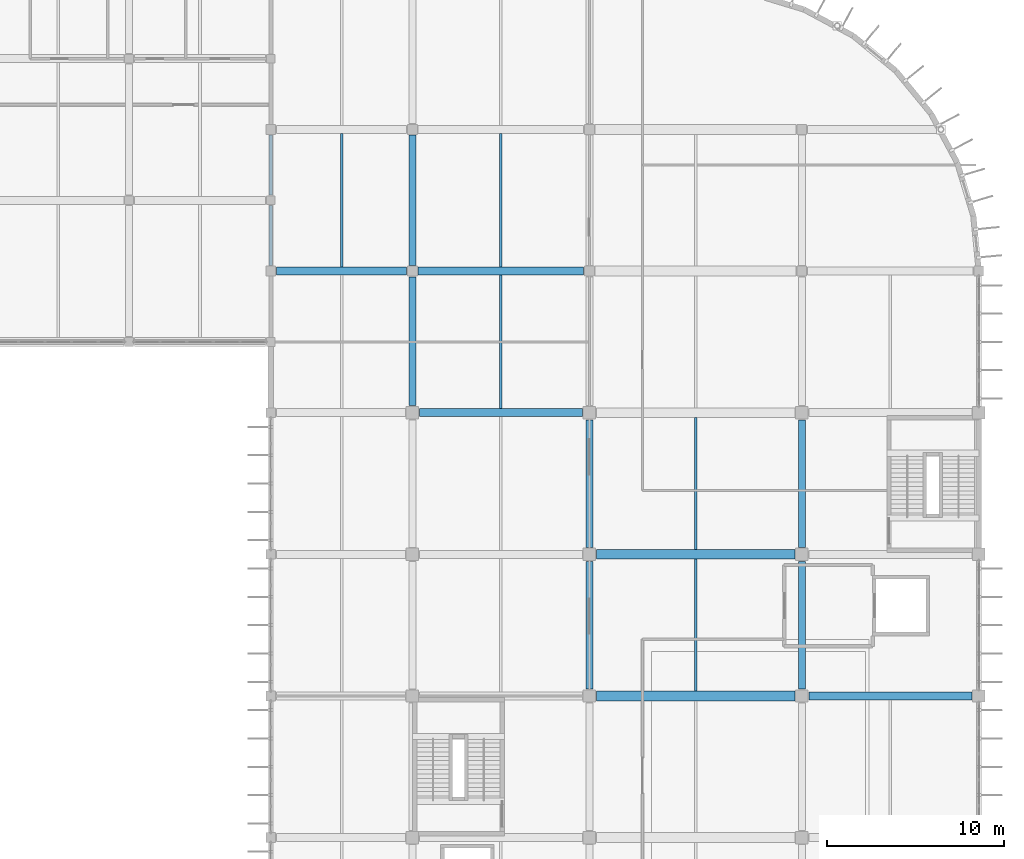
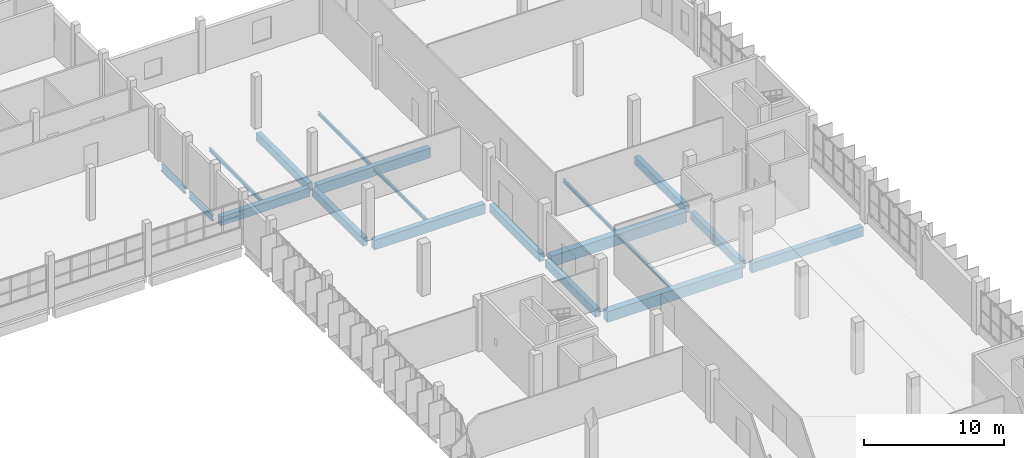
# One storey, part 48 of 93: 19 beams.
"""IFC4 building model written with IfcOpenShell, lengths in metres."""

from ifc_helpers import new_model, si_unit, direction, frame, origin, origin_2d, place, context, subcontext, project, spatial, rectangle, i_section, extrude, material, material_profile, profile_set, type_object, element, save


model = new_model("IFC4")

# Units and contexts
model_context = context("Model", 3, precision=1e-05, world=origin(), true_north=direction((0.0, 1.0)))
body_context = subcontext(model_context, "Body", "Model", "MODEL_VIEW")
ifc_project = project(units=[si_unit("LENGTHUNIT", "METRE"), si_unit("AREAUNIT", "SQUARE_METRE"), si_unit("VOLUMEUNIT", "CUBIC_METRE"), si_unit("PLANEANGLEUNIT", "RADIAN"), si_unit("MASSUNIT", "GRAM", prefix="KILO")], contexts=[model_context])

# Site, building, storey
site_placement = place(None, origin())
site = spatial("IfcSite", under=ifc_project, at=site_placement, CompositionType="ELEMENT")
building_placement = place(site_placement, origin())
building = spatial("IfcBuilding", under=site, at=building_placement, Name="Drelvana Railside Aquatics Centre", CompositionType="ELEMENT")
storey_placement = place(building_placement, frame((0.0, 0.0, 5.39990234375)))
storey = spatial("IfcBuildingStorey", under=building, at=storey_placement, Name="L01", CompositionType="ELEMENT", Elevation=5.39990234375)

# Beams
ifc_material_1 = material(Name="Concrete C40/50", Category="concrete")
ifc_material_profile_1 = material_profile(ifc_material_1, rectangle(XDim=0.39990234375, YDim=0.699951171875, at=origin_2d()), Name="RC 400x700")
ifc_profile_set_1 = profile_set([ifc_material_profile_1], Name="Concrete C40/50")
beam_type_1 = type_object("IfcBeamType", Name="STR-BM-BM-03-RC-400x700", PredefinedType="BEAM", material=ifc_profile_set_1)
beam_1_placement = place(storey_placement, frame((152.0, 80.39990234375, -0.625), z_axis=(0.0, 1.0, 0.0), x_axis=(-1.0, 0.0, 0.0)))
element("IfcBeam", 1, at=beam_1_placement, inside=storey, type_object=beam_type_1, Name="Girder BM-03 (L01)", PredefinedType="BEAM", context=body_context, shape_type="SweptSolid", body=[
    extrude(rectangle(XDim=0.39990234375, YDim=0.699951171875, at=origin_2d()), origin(), (0.0, 0.0, 1.0), 7.275146484375),
])
beam_2_placement = place(storey_placement, frame((152.0, 88.324951171875, -0.625), z_axis=(0.0, 1.0, 0.0), x_axis=(-1.0, 0.0, 0.0)))
element("IfcBeam", 2, at=beam_2_placement, inside=storey, type_object=beam_type_1, Name="Girder BM-03 (L01)", PredefinedType="BEAM", context=body_context, shape_type="SweptSolid", body=[
    extrude(rectangle(XDim=0.39990234375, YDim=0.699951171875, at=origin_2d()), origin(), (0.0, 0.0, 1.0), 7.35009765625),
])
for number, where, z_axis, x_axis, name in (
    (3, (162.0, 64.39990234375, -0.625), (0.0, 1.0, 0.0), (-1.0, 0.0, 0.0), "Girder BM-03 (L01)"),
    (4, (162.0, 72.39990234375, -0.625), (0.0, 1.0, 0.0), (-1.0, 0.0, 0.0), "Girder BM-03 (L01)"),
    (5, (174.0, 64.39990234375, -0.625), (0.0, 1.0, 0.0), (-1.0, 0.0, 0.0), "Girder BM-03 (L01)"),
    (6, (174.0, 72.39990234375, -0.625), (0.0, 1.0, 0.0), (-1.0, 0.0, 0.0), "Girder BM-03 (L01)"),
):
    element("IfcBeam", number, at=place(storey_placement, frame(where, z_axis=z_axis, x_axis=x_axis)), inside=storey, type_object=beam_type_1, Name=name, PredefinedType="BEAM", context=body_context, shape_type="SweptSolid", body=[
        extrude(rectangle(XDim=0.39990234375, YDim=0.699951171875, at=origin_2d()), origin(), (0.0, 0.0, 1.0), 7.2001953125),
    ])
ifc_material_profile_2 = material_profile(ifc_material_1, rectangle(XDim=0.449951171875, YDim=0.75, at=origin_2d()), Name="RC 450x750")
ifc_profile_set_2 = profile_set([ifc_material_profile_2], Name="Concrete C40/50")
beam_type_2 = type_object("IfcBeamType", Name="STR-BM-BM-04-RC-450x750", PredefinedType="BEAM", material=ifc_profile_set_2)
beam_3_placement = place(storey_placement, frame((144.324951171875, 88.0, -0.64990234375), z_axis=(1.0, 0.0, 0.0), x_axis=(0.0, 1.0, 0.0)))
element("IfcBeam", 7, at=beam_3_placement, inside=storey, type_object=beam_type_2, Name="Girder BM-04 (L01)", PredefinedType="BEAM", context=body_context, shape_type="SweptSolid", body=[
    extrude(rectangle(XDim=0.449951171875, YDim=0.75, at=origin_2d()), origin(), (0.0, 0.0, 1.0), 7.35009765625),
])
ifc_material_profile_3 = material_profile(ifc_material_1, rectangle(XDim=0.449951171875, YDim=0.85009765625, at=origin_2d()), Name="RC 450x850")
ifc_profile_set_3 = profile_set([ifc_material_profile_3], Name="Concrete C40/50")
beam_type_3 = type_object("IfcBeamType", Name="STR-BM-BM-05-RC-450x850", PredefinedType="BEAM", material=ifc_profile_set_3)
for number, where, z_axis, x_axis, name in (
    (8, (174.39990234375, 64.0, -0.699951171875), (1.0, 0.0, 0.0), (0.0, 1.0, 0.0), "Girder BM-05 (L01)"),
    (9, (152.39990234375, 80.0, -0.699951171875), (1.0, 0.0, 0.0), (0.0, 1.0, 0.0), "Girder BM-05 (L01)"),
):
    element("IfcBeam", number, at=place(storey_placement, frame(where, z_axis=z_axis, x_axis=x_axis)), inside=storey, type_object=beam_type_3, Name=name, PredefinedType="BEAM", context=body_context, shape_type="SweptSolid", body=[
        extrude(rectangle(XDim=0.449951171875, YDim=0.85009765625, at=origin_2d()), origin(), (0.0, 0.0, 1.0), 9.2001953125),
    ])
beam_4_placement = place(storey_placement, frame((152.324951171875, 88.0, -0.699951171875), z_axis=(1.0, 0.0, 0.0), x_axis=(0.0, 1.0, 0.0)))
element("IfcBeam", 10, at=beam_4_placement, inside=storey, type_object=beam_type_3, Name="Girder BM-05 (L01)", PredefinedType="BEAM", context=body_context, shape_type="SweptSolid", body=[
    extrude(rectangle(XDim=0.449951171875, YDim=0.85009765625, at=origin_2d()), origin(), (0.0, 0.0, 1.0), 9.35009765625),
])
ifc_material_profile_4 = material_profile(ifc_material_1, rectangle(XDim=0.550048828125, YDim=0.949951171875, at=origin_2d()), Name="RC 550x950")
ifc_profile_set_4 = profile_set([ifc_material_profile_4], Name="Concrete C40/50")
beam_type_4 = type_object("IfcBeamType", Name="STR-BM-BM-08-RC-550x950", PredefinedType="BEAM", material=ifc_profile_set_4)
for number, where, z_axis, x_axis, name in (
    (11, (162.39990234375, 64.0, -0.75), (1.0, 0.0, 0.0), (0.0, 1.0, 0.0), "Girder BM-08 (L01)"),
    (12, (162.39990234375, 72.0, -0.75), (1.0, 0.0, 0.0), (0.0, 1.0, 0.0), "Girder BM-08 (L01)"),
):
    element("IfcBeam", number, at=place(storey_placement, frame(where, z_axis=z_axis, x_axis=x_axis)), inside=storey, type_object=beam_type_4, Name=name, PredefinedType="BEAM", context=body_context, shape_type="SweptSolid", body=[
        extrude(rectangle(XDim=0.550048828125, YDim=0.949951171875, at=origin_2d()), origin(), (0.0, 0.0, 1.0), 11.2001953125),
    ])
ifc_material_2 = material(Name="Structural steel S355", Category="steel")
ifc_material_profile_5 = material_profile(ifc_material_2, i_section(OverallWidth=0.2099609375, OverallDepth=0.550048828125, WebThickness=0.010986328125, FlangeThickness=0.01708984375, at=origin_2d()), Name="IPE 550")
ifc_profile_set_5 = profile_set([ifc_material_profile_5], Name="Structural steel S355")
beam_type_5 = type_object("IfcBeamType", Name="STR-SBM-SB-04-IPE-550", PredefinedType="SPANDREL", material=ifc_profile_set_5)
for number, where, z_axis, x_axis, name in (
    (13, (144.0, 88.324951171875, -0.5498046875), (0.0, 1.0, 0.0), (-1.0, 0.0, 0.0), "Girder SB-04 (L01)"),
    (14, (144.0, 92.300048828125, -0.5498046875), (0.0, 1.0, 0.0), (-1.0, 0.0, 0.0), "Girder SB-04 (L01)"),
):
    element("IfcBeam", number, at=place(storey_placement, frame(where, z_axis=z_axis, x_axis=x_axis)), inside=storey, type_object=beam_type_5, Name=name, PredefinedType="SPANDREL", context=body_context, shape_type="SweptSolid", body=[
        extrude(i_section(OverallWidth=0.2099609375, OverallDepth=0.550048828125, WebThickness=0.010986328125, FlangeThickness=0.01708984375, at=origin_2d()), origin(), (0.0, 0.0, 1.0), 3.375),
    ])
ifc_material_profile_6 = material_profile(ifc_material_2, i_section(OverallWidth=0.14990234375, OverallDepth=0.300048828125, WebThickness=0.007080078125, FlangeThickness=0.0107421875, at=origin_2d()), Name="IPE 300")
ifc_profile_set_6 = profile_set([ifc_material_profile_6], Name="Structural steel S355")
beam_type_6 = type_object("IfcBeamType", Name="STR-SBM-SJ-03-IPE-300", PredefinedType="JOIST", material=ifc_profile_set_6)
for number, where, z_axis, x_axis, name in (
    (15, (148.0, 88.22509765625, -0.4248046875), (0.0, 1.0, 0.0), (-1.0, 0.0, 0.0), "Secondary floor joist SJ-03 (L01)"),
    (16, (157.0, 80.22509765625, -0.4248046875), (0.0, 1.0, 0.0), (-1.0, 0.0, 0.0), "Secondary floor joist SJ-03 (L01)"),
    (17, (157.0, 88.22509765625, -0.4248046875), (0.0, 1.0, 0.0), (-1.0, 0.0, 0.0), "Secondary floor joist SJ-03 (L01)"),
):
    element("IfcBeam", number, at=place(storey_placement, frame(where, z_axis=z_axis, x_axis=x_axis)), inside=storey, type_object=beam_type_6, Name=name, PredefinedType="JOIST", context=body_context, shape_type="SweptSolid", body=[
        extrude(i_section(OverallWidth=0.14990234375, OverallDepth=0.300048828125, WebThickness=0.007080078125, FlangeThickness=0.0107421875, at=origin_2d()), origin(), (0.0, 0.0, 1.0), 7.5498046875),
    ])
for number, where, z_axis, x_axis, name in (
    (18, (168.0, 64.27490234375, -0.4248046875), (0.0, 1.0, 0.0), (-1.0, 0.0, 0.0), "Secondary floor joist SJ-03 (L01)"),
    (19, (168.0, 72.27490234375, -0.4248046875), (0.0, 1.0, 0.0), (-1.0, 0.0, 0.0), "Secondary floor joist SJ-03 (L01)"),
):
    element("IfcBeam", number, at=place(storey_placement, frame(where, z_axis=z_axis, x_axis=x_axis)), inside=storey, type_object=beam_type_6, Name=name, PredefinedType="JOIST", context=body_context, shape_type="SweptSolid", body=[
        extrude(i_section(OverallWidth=0.14990234375, OverallDepth=0.300048828125, WebThickness=0.007080078125, FlangeThickness=0.0107421875, at=origin_2d()), origin(), (0.0, 0.0, 1.0), 7.4501953125),
    ])

save(model, "model.ifc")
